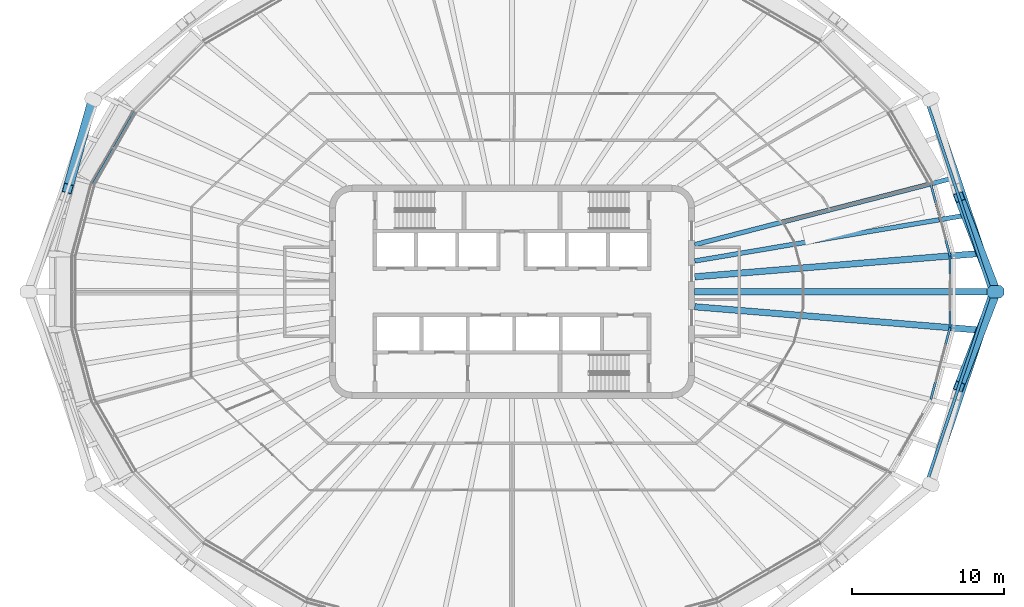
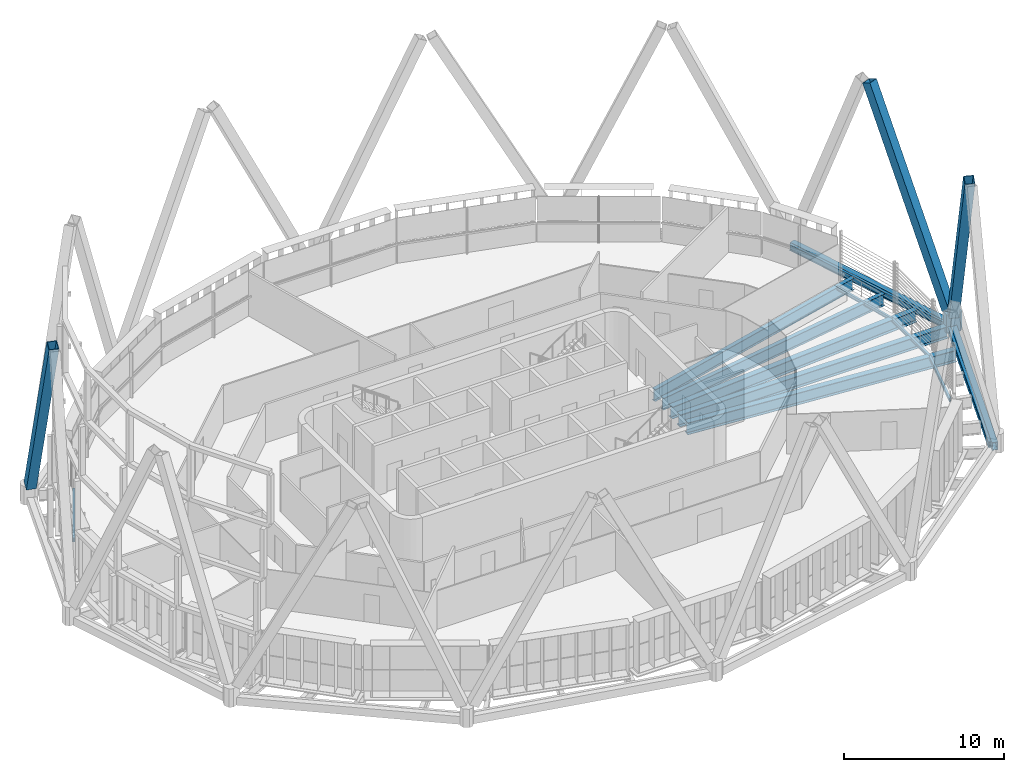
# One storey, part 5 of 22: 13 beams, 4 members.
"""IFC4 building model written with IfcOpenShell, lengths in metres."""

from ifc_helpers import new_model, si_unit, direction, frame, origin, origin_2d, place, context, subcontext, project, spatial, polyline, hollow_rectangle, i_section, outline, extrude, material, material_profile, profile_set, type_object, element, save


model = new_model("IFC4")

# Units and contexts
model_context = context("Model", 3, precision=1e-05, world=origin(), true_north=direction((0.0, 1.0)))
body_context = subcontext(model_context, "Body", "Model", "MODEL_VIEW")
ifc_project = project(units=[si_unit("LENGTHUNIT", "METRE"), si_unit("AREAUNIT", "SQUARE_METRE"), si_unit("VOLUMEUNIT", "CUBIC_METRE"), si_unit("PLANEANGLEUNIT", "RADIAN"), si_unit("MASSUNIT", "GRAM", prefix="KILO")], contexts=[model_context])

# Site, building, storey
site_placement = place(None, origin())
site = spatial("IfcSite", under=ifc_project, at=site_placement, CompositionType="ELEMENT")
building_placement = place(site_placement, origin())
building = spatial("IfcBuilding", under=site, at=building_placement, Name="Sahrelin Media Tower", CompositionType="ELEMENT")
storey_placement = place(building_placement, frame((0.0, 0.0, 283.0)))
storey = spatial("IfcBuildingStorey", under=building, at=storey_placement, Name="L62", CompositionType="ELEMENT", Elevation=283.0)

# Members
ifc_material_1 = material(Name="Steel S460", Category="steel")
ifc_material_profile_1 = material_profile(ifc_material_1, hollow_rectangle(XDim=0.64990234375, YDim=0.64990234375, WallThickness=0.034912109375, at=origin_2d()), Name="Diagrid diagonal DG8")
ifc_profile_set_1 = profile_set([ifc_material_profile_1], Name="Steel S460")
member_type_1 = type_object("IfcMemberType", Name="Diagrid diagonal DG8", PredefinedType="BRACE", material=ifc_profile_set_1)
member_1_placement = place(storey_placement, frame((31.649658203125, 0.284912109375, 0.699951171875), z_axis=(-0.14377018797, 0.373051450427, 0.916603921214), x_axis=(-0.933103312613, -0.359608409232, 0.0)))
element("IfcMember", 1, at=member_1_placement, inside=storey, type_object=member_type_1, Name="Diagrid diagonal D14-00", PredefinedType="BRACE", context=body_context, shape_type="SweptSolid", body=[
    extrude(hollow_rectangle(XDim=0.64990234375, YDim=0.64990234375, WallThickness=0.034912109375, at=origin_2d()), origin(), (0.0, 0.0, 1.0), 15.928466796875),
])
member_2_placement = place(storey_placement, frame((-27.580810546875, 12.376953125, 0.699951171875), z_axis=(-0.101325736201, -0.356092469212, 0.928940928452), x_axis=(0.961819462304, -0.273684712642, 0.0)))
element("IfcMember", 2, at=member_2_placement, inside=storey, type_object=member_type_1, Name="Diagrid diagonal D14-10", PredefinedType="BRACE", context=body_context, shape_type="SweptSolid", body=[
    extrude(hollow_rectangle(XDim=0.64990234375, YDim=0.64990234375, WallThickness=0.034912109375, at=origin_2d()), origin(), (0.0, 0.0, 1.0), 15.717041015625),
])
member_3_placement = place(storey_placement, frame((31.649658203125, -0.284912109375, 0.699951171875), z_axis=(-0.14377018797, -0.373051450427, 0.916603921214), x_axis=(0.933103312613, -0.359608409232, 0.0)))
element("IfcMember", 3, at=member_3_placement, inside=storey, type_object=member_type_1, Name="Diagrid diagonal D14-23", PredefinedType="BRACE", context=body_context, shape_type="SweptSolid", body=[
    extrude(hollow_rectangle(XDim=0.64990234375, YDim=0.64990234375, WallThickness=0.034912109375, at=origin_2d()), origin(), (0.0, 0.0, 1.0), 15.928466796875),
])
ifc_material_profile_2 = material_profile(ifc_material_1, outline(polyline([(0.35009765625, -0.39990234375), (0.550048828125, -0.199951171875), (0.550048828125, 0.199951171875), (0.35009765625, 0.39990234375), (-0.35009765625, 0.39990234375), (-0.550048828125, 0.199951171875), (-0.550048828125, -0.199951171875), (-0.35009765625, -0.39990234375), (0.35009765625, -0.39990234375)])), Name="Diagrid node block 1100")
ifc_profile_set_2 = profile_set([ifc_material_profile_2], Name="Steel S460")
member_type_2 = type_object("IfcMemberType", Name="Diagrid node block 1100", PredefinedType="USERDEFINED", material=ifc_profile_set_2)
member_4_placement = place(storey_placement, frame((31.759521484375, 0.0, -0.699951171875), z_axis=(0.0, 0.0, 1.0), x_axis=(1.0, 0.0, 0.0)))
element("IfcMember", 4, at=member_4_placement, inside=storey, type_object=member_type_2, Name="Diagrid node N14-00", ObjectType="NODE", PredefinedType="USERDEFINED", context=body_context, shape_type="SweptSolid", body=[
    extrude(outline(polyline([(0.35009765625, -0.39990234375), (0.550048828125, -0.199951171875), (0.550048828125, 0.199951171875), (0.35009765625, 0.39990234375), (-0.35009765625, 0.39990234375), (-0.550048828125, 0.199951171875), (-0.550048828125, -0.199951171875), (-0.35009765625, -0.39990234375), (0.35009765625, -0.39990234375)])), origin(), (0.0, 0.0, 1.0), 1.39990234375),
])

# Beams
ifc_material_profile_3 = material_profile(ifc_material_1, hollow_rectangle(XDim=0.39990234375, YDim=0.60009765625, WallThickness=0.030029296875, at=origin_2d()), Name="Diagrid ring beam RB1")
ifc_profile_set_3 = profile_set([ifc_material_profile_3], Name="Steel S460")
beam_type_1 = type_object("IfcBeamType", Name="Diagrid ring beam RB1", PredefinedType="BEAM", material=ifc_profile_set_3)
for number, where, z_axis, x_axis, name in (
    (5, (31.759521484375, 0.0, -0.449951171875), (-0.318927366854, 0.94777915923, 0.0), (-0.94777915923, -0.318927366854, 0.0), "Diagrid ring beam RB14-00"),
    (6, (27.50439453125, -12.645263671875, -0.449951171875), (0.318927366854, 0.94777915923, 0.0), (-0.94777915923, 0.318927366854, 0.0), "Diagrid ring beam RB14-11"),
):
    element("IfcBeam", number, at=place(storey_placement, frame(where, z_axis=z_axis, x_axis=x_axis)), inside=storey, type_object=beam_type_1, Name=name, PredefinedType="BEAM", context=body_context, shape_type="SweptSolid", body=[
        extrude(hollow_rectangle(XDim=0.39990234375, YDim=0.60009765625, WallThickness=0.030029296875, at=origin_2d()), origin(), (0.0, 0.0, 1.0), 13.342041015625),
    ])
ifc_material_2 = material(Name="Steel S355", Category="steel")
ifc_material_profile_4 = material_profile(ifc_material_2, i_section(OverallWidth=0.14599609375, OverallDepth=0.25146484375, WebThickness=0.006103515625, FlangeThickness=0.008544921875, FilletRadius=0.007568359375, at=origin_2d()), Name="UB 254x146x31")
ifc_profile_set_4 = profile_set([ifc_material_profile_4], Name="Steel S355")
beam_type_2 = type_object("IfcBeamType", Name="Edge beam EB1", PredefinedType="BEAM", material=ifc_profile_set_4)
beam_1_placement = place(storey_placement, frame((28.768798828125, 2.3349609375, -0.32568359375), z_axis=(0.0, -1.0, 0.0), x_axis=(1.0, 0.0, 0.0)))
element("IfcBeam", 7, at=beam_1_placement, inside=storey, type_object=beam_type_2, Name="Edge beam L62-01", PredefinedType="BEAM", context=body_context, shape_type="SweptSolid", body=[
    extrude(i_section(OverallWidth=0.14599609375, OverallDepth=0.25146484375, WebThickness=0.006103515625, FlangeThickness=0.008544921875, FilletRadius=0.007568359375, at=origin_2d()), origin(), (0.0, 0.0, 1.0), 4.669921875),
])
for number, where, z_axis, x_axis, name in (
    (8, (28.76513671875, -2.363525390625, -0.32568359375), (-0.25881981979, -0.965925618712, 0.0), (0.965925618712, -0.25881981979, 0.0), "Edge beam L62-02"),
    (9, (27.5078125, 7.055908203125, -0.32568359375), (0.25881981979, -0.965925618712, 0.0), (0.965925618712, 0.25881981979, 0.0), "Edge beam L62-24"),
):
    element("IfcBeam", number, at=place(storey_placement, frame(where, z_axis=z_axis, x_axis=x_axis)), inside=storey, type_object=beam_type_2, Name=name, PredefinedType="BEAM", context=body_context, shape_type="SweptSolid", body=[
        extrude(i_section(OverallWidth=0.14599609375, OverallDepth=0.25146484375, WebThickness=0.006103515625, FlangeThickness=0.008544921875, FilletRadius=0.007568359375, at=origin_2d()), origin(), (0.0, 0.0, 1.0), 4.85791015625),
    ])
ifc_material_profile_5 = material_profile(ifc_material_2, i_section(OverallWidth=0.1650390625, OverallDepth=0.303466796875, WebThickness=0.006103515625, FlangeThickness=0.01025390625, FilletRadius=0.0087890625, at=origin_2d()), Name="UB 305x165x40")
ifc_profile_set_5 = profile_set([ifc_material_profile_5], Name="Steel S355")
beam_type_3 = type_object("IfcBeamType", Name="Edge beam EB2", PredefinedType="BEAM", material=ifc_profile_set_5)
beam_2_placement = place(storey_placement, frame((-27.496826171875, 7.08251953125, -0.3017578125), z_axis=(0.500011311391, 0.866018873051, 0.0), x_axis=(-0.866018873051, 0.500011311391, 0.0)))
element("IfcBeam", 10, at=beam_2_placement, inside=storey, type_object=beam_type_3, Name="Edge beam L62-15", PredefinedType="BEAM", context=body_context, shape_type="SweptSolid", body=[
    extrude(i_section(OverallWidth=0.1650390625, OverallDepth=0.303466796875, WebThickness=0.006103515625, FlangeThickness=0.01025390625, FilletRadius=0.0087890625, at=origin_2d()), origin(), (0.0, 0.0, 1.0), 5.438232421875),
])
ifc_material_profile_6 = material_profile(ifc_material_2, i_section(OverallWidth=0.30322265625, OverallDepth=0.903076171875, WebThickness=0.01513671875, FlangeThickness=0.020263671875, FilletRadius=0.01904296875, at=origin_2d()), Name="UB 914x305x201")
ifc_profile_set_6 = profile_set([ifc_material_profile_6], Name="Steel S355")
beam_type_4 = type_object("IfcBeamType", Name="Radial primary beam PB11", PredefinedType="BEAM", material=ifc_profile_set_6)
beam_3_placement = place(storey_placement, frame((12.0, 3.093994140625, -0.651611328125), z_axis=(0.968326610454, 0.249686954978, 0.0), x_axis=(-0.249686954978, 0.968326610454, 0.0)))
element("IfcBeam", 11, at=beam_3_placement, inside=storey, type_object=beam_type_4, Name="Radial beam L62-02", PredefinedType="BEAM", context=body_context, shape_type="SweptSolid", body=[
    extrude(i_section(OverallWidth=0.30322265625, OverallDepth=0.903076171875, WebThickness=0.01513671875, FlangeThickness=0.020263671875, FilletRadius=0.01904296875, at=origin_2d()), origin(), (0.0, 0.0, 1.0), 17.390869140625),
])
ifc_material_profile_7 = material_profile(ifc_material_2, i_section(OverallWidth=0.41845703125, OverallDepth=0.911865234375, WebThickness=0.019287109375, FlangeThickness=0.031982421875, FilletRadius=0.024169921875, at=origin_2d()), Name="UB 914x419x343")
ifc_profile_set_7 = profile_set([ifc_material_profile_7], Name="Steel S355")
beam_type_5 = type_object("IfcBeamType", Name="Radial primary beam PB12", PredefinedType="BEAM", material=ifc_profile_set_7)
for number, where, z_axis, x_axis, name in (
    (12, (12.0, 0.983154296875, -0.656005859375), (0.996661417156, 0.081645695254, 0.0), (-0.081645695254, 0.996661417156, 0.0), "Radial beam L62-01"),
    (13, (12.0, -0.983154296875, -0.656005859375), (0.996661417156, -0.081645695254, 0.0), (0.081645695254, 0.996661417156, 0.0), "Radial beam L62-24"),
):
    element("IfcBeam", number, at=place(storey_placement, frame(where, z_axis=z_axis, x_axis=x_axis)), inside=storey, type_object=beam_type_5, Name=name, PredefinedType="BEAM", context=body_context, shape_type="SweptSolid", body=[
        extrude(i_section(OverallWidth=0.41845703125, OverallDepth=0.911865234375, WebThickness=0.019287109375, FlangeThickness=0.031982421875, FilletRadius=0.024169921875, at=origin_2d()), origin(), (0.0, 0.0, 1.0), 18.5634765625),
    ])
ifc_material_profile_8 = material_profile(ifc_material_2, i_section(OverallWidth=0.30322265625, OverallDepth=0.903076171875, WebThickness=0.01513671875, FlangeThickness=0.020263671875, FilletRadius=0.01904296875, at=origin_2d()), Name="UB 914x305x201")
ifc_profile_set_8 = profile_set([ifc_material_profile_8], Name="Steel S355")
beam_type_6 = type_object("IfcBeamType", Name="Radial secondary beam SB11", PredefinedType="BEAM", material=ifc_profile_set_8)
beam_4_placement = place(storey_placement, frame((12.0, 2.0234375, -0.651611328125), z_axis=(0.986079327713, 0.166275552792, 0.0), x_axis=(-0.166275552792, 0.986079327713, 0.0)))
element("IfcBeam", 14, at=beam_4_placement, inside=storey, type_object=beam_type_6, Name="Secondary beam L62-01", PredefinedType="BEAM", context=body_context, shape_type="SweptSolid", body=[
    extrude(i_section(OverallWidth=0.30322265625, OverallDepth=0.903076171875, WebThickness=0.01513671875, FlangeThickness=0.020263671875, FilletRadius=0.01904296875, at=origin_2d()), origin(), (0.0, 0.0, 1.0), 17.90869140625),
])
ifc_material_profile_9 = material_profile(ifc_material_2, i_section(OverallWidth=0.41845703125, OverallDepth=0.911865234375, WebThickness=0.019287109375, FlangeThickness=0.031982421875, FilletRadius=0.024169921875, at=origin_2d()), Name="UB 914x419x343")
ifc_profile_set_9 = profile_set([ifc_material_profile_9], Name="Steel S355")
beam_type_7 = type_object("IfcBeamType", Name="Radial secondary beam SB12", PredefinedType="BEAM", material=ifc_profile_set_9)
beam_5_placement = place(storey_placement, frame((12.0, 0.0, -0.656005859375), z_axis=(1.0, 0.0, 0.0), x_axis=(0.0, 1.0, 0.0)))
element("IfcBeam", 15, at=beam_5_placement, inside=storey, type_object=beam_type_7, Name="Secondary beam L62-24", PredefinedType="BEAM", context=body_context, shape_type="SweptSolid", body=[
    extrude(i_section(OverallWidth=0.41845703125, OverallDepth=0.911865234375, WebThickness=0.019287109375, FlangeThickness=0.031982421875, FilletRadius=0.024169921875, at=origin_2d()), origin(), (0.0, 0.0, 1.0), 19.34228515625),
])
ifc_material_profile_10 = material_profile(ifc_material_2, i_section(OverallWidth=0.1904296875, OverallDepth=0.45703125, WebThickness=0.009033203125, FlangeThickness=0.014404296875, FilletRadius=0.01025390625, at=origin_2d()), Name="UB 457x191x74")
ifc_profile_set_10 = profile_set([ifc_material_profile_10], Name="Steel S355")
beam_type_8 = type_object("IfcBeamType", Name="Tie chord TC5", PredefinedType="BEAM", material=ifc_profile_set_10)
for number, where, z_axis, x_axis, name in (
    (16, (31.442626953125, 0.0, -0.37841796875), (-0.318921760106, -0.947781045881, 0.0), (0.947781045881, -0.318921760106, 0.0), "Tie chord L62-01"),
    (17, (27.248046875, 12.465576171875, -0.37841796875), (0.318921760106, -0.947781045881, 0.0), (0.947781045881, 0.318921760106, 0.0), "Tie chord L62-12"),
):
    element("IfcBeam", number, at=place(storey_placement, frame(where, z_axis=z_axis, x_axis=x_axis)), inside=storey, type_object=beam_type_8, Name=name, PredefinedType="BEAM", context=body_context, shape_type="SweptSolid", body=[
        extrude(i_section(OverallWidth=0.1904296875, OverallDepth=0.45703125, WebThickness=0.009033203125, FlangeThickness=0.014404296875, FilletRadius=0.01025390625, at=origin_2d()), origin(), (0.0, 0.0, 1.0), 13.15234375),
    ])

save(model, "model.ifc")
